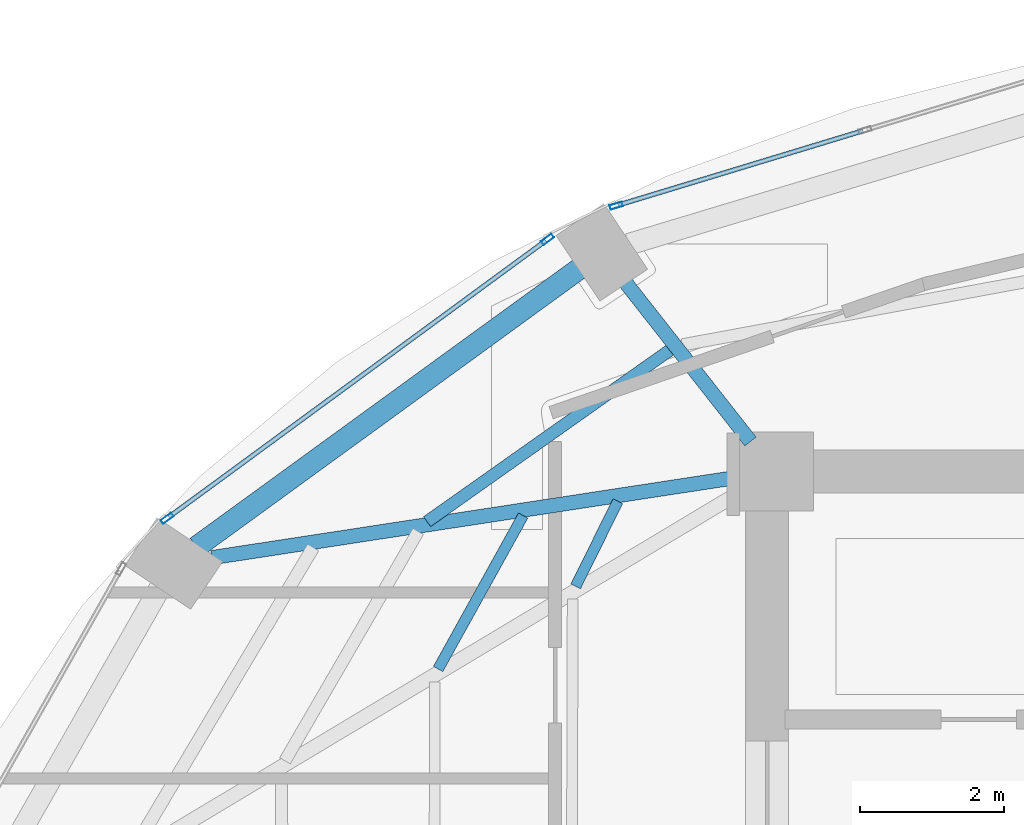
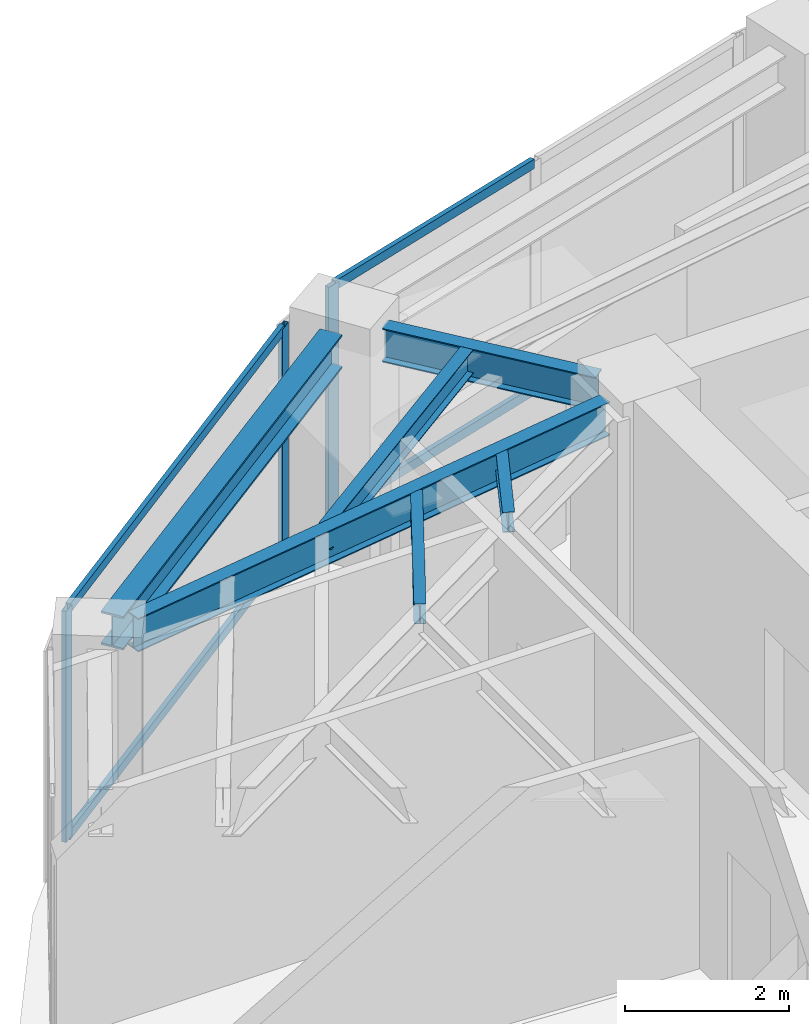
# One storey, part 10 of 23: 7 members, 6 beams, 2 elements without a shape of their own.
"""IFC4 building model written with IfcOpenShell, lengths in metres."""

from ifc_helpers import new_model, si_unit, direction, frame, origin, origin_2d, place, context, subcontext, project, spatial, hollow_rectangle, i_section, extrude, material, layer, layer_set, material_profile, profile_set, type_object, element, aggregate, save


model = new_model("IFC4")

# Units and contexts
model_context = context("Model", 3, precision=1e-05, world=origin(), true_north=direction((0.0, 1.0)))
body_context = subcontext(model_context, "Body", "Model", "MODEL_VIEW")
ifc_project = project(units=[si_unit("LENGTHUNIT", "METRE"), si_unit("AREAUNIT", "SQUARE_METRE"), si_unit("VOLUMEUNIT", "CUBIC_METRE"), si_unit("PLANEANGLEUNIT", "RADIAN"), si_unit("MASSUNIT", "GRAM", prefix="KILO")], contexts=[model_context])

# Site, building, storey
site_placement = place(None, origin())
site = spatial("IfcSite", under=ifc_project, at=site_placement, CompositionType="ELEMENT")
building_placement = place(site_placement, origin())
building = spatial("IfcBuilding", under=site, at=building_placement, Name="Lazwardi Medical Tower", CompositionType="ELEMENT")
storey_placement = place(building_placement, frame((0.0, 0.0, 205.77587890625)))
storey = spatial("IfcBuildingStorey", under=building, at=storey_placement, Name="L53", CompositionType="ELEMENT", Elevation=205.77587890625)

# Beams
ifc_material_1 = material(Name="Steel S355", Category="steel")
ifc_material_profile_1 = material_profile(ifc_material_1, i_section(OverallWidth=0.300048828125, OverallDepth=0.5, WebThickness=0.014404296875, FlangeThickness=0.028076171875, at=origin_2d()), Name="HEB 500")
ifc_profile_set_1 = profile_set([ifc_material_profile_1], Name="Steel S355")
beam_type_1 = type_object("IfcBeamType", Name="BM-RB-Z4", PredefinedType="BEAM", material=ifc_profile_set_1)
beam_1_placement = place(storey_placement, frame((23.68408203125, 38.4248046875, 3.1982421875), z_axis=(-0.808889916254, -0.587960120571, 0.0), x_axis=(0.587960120571, -0.808889916254, 0.0)))
element("IfcBeam", 1, at=beam_1_placement, inside=storey, type_object=beam_type_1, Name="Ring beam RB-05 B10 L53", PredefinedType="BEAM", context=body_context, shape_type="SweptSolid", body=[
    extrude(i_section(OverallWidth=0.300048828125, OverallDepth=0.5, WebThickness=0.014404296875, FlangeThickness=0.028076171875, at=origin_2d()), origin(), (0.0, 0.0, 1.0), 6.587158203125),
])
ifc_material_profile_2 = material_profile(ifc_material_1, i_section(OverallWidth=0.199951171875, OverallDepth=0.5, WebThickness=0.01025390625, FlangeThickness=0.01611328125, at=origin_2d()), Name="IPE 500")
ifc_profile_set_2 = profile_set([ifc_material_profile_2], Name="Steel S355")
beam_type_2 = type_object("IfcBeamType", Name="BM-RG-W3", PredefinedType="BEAM", material=ifc_profile_set_2)
beam_2_placement = place(storey_placement, frame((24.330322265625, 38.2333984375, 3.1982421875), z_axis=(0.617890508382, -0.786264153864, 0.0), x_axis=(0.786264153864, 0.617890508382, 0.0)))
element("IfcBeam", 2, at=beam_2_placement, inside=storey, type_object=beam_type_2, Name="Radial girder RG-04 R10 L53", PredefinedType="BEAM", context=body_context, shape_type="SweptSolid", body=[
    extrude(i_section(OverallWidth=0.199951171875, OverallDepth=0.5, WebThickness=0.01025390625, FlangeThickness=0.01611328125, at=origin_2d()), origin(), (0.0, 0.0, 1.0), 2.814453125),
])
beam_3_placement = place(storey_placement, frame((18.569091796875, 34.4033203125, 3.1982421875), z_axis=(0.988522137285, 0.151076087115, 0.0), x_axis=(-0.151076087115, 0.988522137285, 0.0)))
element("IfcBeam", 3, at=beam_3_placement, inside=storey, type_object=beam_type_2, Name="Radial girder RG-04 R11 L53", PredefinedType="BEAM", context=body_context, shape_type="SweptSolid", body=[
    extrude(i_section(OverallWidth=0.199951171875, OverallDepth=0.5, WebThickness=0.01025390625, FlangeThickness=0.01611328125, at=origin_2d()), origin(), (0.0, 0.0, 1.0), 7.38671875),
])
ifc_material_profile_3 = material_profile(ifc_material_1, i_section(OverallWidth=0.169921875, OverallDepth=0.360107421875, WebThickness=0.008056640625, FlangeThickness=0.0126953125, at=origin_2d()), Name="IPE 360")
ifc_profile_set_3 = profile_set([ifc_material_profile_3], Name="Steel S355")
beam_type_3 = type_object("IfcBeamType", Name="BM-SJ-02", PredefinedType="JOIST", material=ifc_profile_set_3)
beam_4_placement = place(storey_placement, frame((24.948486328125, 37.29345703125, 3.26806640625), z_axis=(-0.816711190406, -0.577046645832, 0.0), x_axis=(0.577046645832, -0.816711190406, 0.0)))
element("IfcBeam", 4, at=beam_4_placement, inside=storey, type_object=beam_type_3, Name="Secondary joist SJ-02 R2 B10 L53", PredefinedType="JOIST", context=body_context, shape_type="SweptSolid", body=[
    extrude(i_section(OverallWidth=0.169921875, OverallDepth=0.360107421875, WebThickness=0.008056640625, FlangeThickness=0.0126953125, at=origin_2d()), origin(), (0.0, 0.0, 1.0), 4.139892578125),
])
ifc_material_profile_4 = material_profile(ifc_material_1, i_section(OverallWidth=0.14990234375, OverallDepth=0.300048828125, WebThickness=0.007080078125, FlangeThickness=0.0107421875, at=origin_2d()), Name="IPE 300")
ifc_profile_set_4 = profile_set([ifc_material_profile_4], Name="Steel S355")
beam_type_4 = type_object("IfcBeamType", Name="BM-SJ-03", PredefinedType="JOIST", material=ifc_profile_set_4)
beam_5_placement = place(storey_placement, frame((22.904296875, 34.98974609375, 3.298095703125), z_axis=(-0.484751625998, -0.874651851363, 0.0), x_axis=(0.874651851363, -0.484751625998, 0.0)))
element("IfcBeam", 5, at=beam_5_placement, inside=storey, type_object=beam_type_4, Name="Secondary joist SJ-03 R3 B11 L53", PredefinedType="JOIST", context=body_context, shape_type="SweptSolid", body=[
    extrude(i_section(OverallWidth=0.14990234375, OverallDepth=0.300048828125, WebThickness=0.007080078125, FlangeThickness=0.0107421875, at=origin_2d()), origin(), (0.0, 0.0, 1.0), 2.442626953125),
])
beam_6_placement = place(storey_placement, frame((24.222412109375, 35.188720703125, 3.298095703125), z_axis=(-0.443587297772, -0.89623116954, 0.0), x_axis=(0.89623116954, -0.443587297772, 0.0)))
element("IfcBeam", 6, at=beam_6_placement, inside=storey, type_object=beam_type_4, Name="Secondary joist SJ-03 R4 B11 L53", PredefinedType="JOIST", context=body_context, shape_type="SweptSolid", body=[
    extrude(i_section(OverallWidth=0.14990234375, OverallDepth=0.300048828125, WebThickness=0.007080078125, FlangeThickness=0.0107421875, at=origin_2d()), origin(), (0.0, 0.0, 1.0), 1.32080078125),
])

# Curtain wall, member
ifc_material_2 = material(Name="Anodised bronze aluminium and solar control glazing", Category="aluminium")
ifc_layer = layer(ifc_material_2, 0.18994140625)
ifc_layer_set = layer_set([ifc_layer], Name="Anodised bronze aluminium and solar control glazing")
curtain_wall_type = type_object("IfcCurtainWallType", Name="CW-SYS-04", PredefinedType="NOTDEFINED", material=ifc_layer_set)
curtain_wall_1_placement = place(storey_placement, origin())
curtain_wall_1 = element("IfcCurtainWall", 7, at=curtain_wall_1_placement, inside=storey, type_object=curtain_wall_type, Name="L53 Unitised bronze curtain wall CW-04", PredefinedType="NOTDEFINED")
ifc_material_3 = material(Name="Anodised bronze aluminium", Category="aluminium")
ifc_material_profile_5 = material_profile(ifc_material_3, hollow_rectangle(XDim=0.06494140625, YDim=0.179931640625, WallThickness=0.00390625, at=origin_2d()), Name="ALU-MULLION 180x65x4")
ifc_profile_set_5 = profile_set([ifc_material_profile_5], Name="Anodised bronze aluminium")
member_type_1 = type_object("IfcMemberType", Name="CW-MUL-03", PredefinedType="MULLION", material=ifc_profile_set_5)
member_1_placement = place(storey_placement, frame((24.2001953125, 39.303466796875, 0.0), z_axis=(0.0, 0.0, 1.0), x_axis=(0.290581889515, -0.956850126972, 0.0)))
member_1 = element("IfcMember", 8, at=member_1_placement, type_object=member_type_1, Name="CW-04 mullion 3", PredefinedType="MULLION", context=body_context, shape_type="SweptSolid", body=[
    extrude(hollow_rectangle(XDim=0.06494140625, YDim=0.179931640625, WallThickness=0.00390625, at=origin_2d()), origin(), (0.0, 0.0, 1.0), 3.4482421875),
])

# Curtain wall, members
curtain_wall_2_placement = place(storey_placement, origin())
curtain_wall_2 = element("IfcCurtainWall", 9, at=curtain_wall_2_placement, inside=storey, type_object=curtain_wall_type, Name="L53 Unitised bronze curtain wall CW-04", PredefinedType="NOTDEFINED")
member_2_placement = place(storey_placement, frame((23.24462890625, 38.8349609375, 0.0), z_axis=(0.0, 0.0, 1.0), x_axis=(0.591268230971, -0.806474971121, 0.0)))
member_2 = element("IfcMember", 10, at=member_2_placement, type_object=member_type_1, Name="CW-04 mullion 1", PredefinedType="MULLION", context=body_context, shape_type="SweptSolid", body=[
    extrude(hollow_rectangle(XDim=0.06494140625, YDim=0.179931640625, WallThickness=0.00390625, at=origin_2d()), origin(), (0.0, 0.0, 1.0), 3.4482421875),
])
member_3_placement = place(storey_placement, frame((17.947998046875, 34.95166015625, 0.0), z_axis=(0.0, 0.0, 1.0), x_axis=(0.591268230971, -0.806474971121, 0.0)))
member_3 = element("IfcMember", 11, at=member_3_placement, type_object=member_type_1, Name="CW-04 mullion 2", PredefinedType="MULLION", context=body_context, shape_type="SweptSolid", body=[
    extrude(hollow_rectangle(XDim=0.06494140625, YDim=0.179931640625, WallThickness=0.00390625, at=origin_2d()), origin(), (0.0, 0.0, 1.0), 3.4482421875),
])

# Member
ifc_material_profile_6 = material_profile(ifc_material_3, hollow_rectangle(XDim=0.06494140625, YDim=0.139892578125, WallThickness=0.00341796875, at=origin_2d()), Name="ALU-TRANSOM 140x65x3.5")
ifc_profile_set_6 = profile_set([ifc_material_profile_6], Name="Anodised bronze aluminium")
member_type_2 = type_object("IfcMemberType", Name="CW-TRN-03", PredefinedType="USERDEFINED", material=ifc_profile_set_6)
member_4_placement = place(storey_placement, frame((27.632568359375, 40.345947265625, 0.03271484375), z_axis=(-0.956843409009, -0.290604010015, 0.0), x_axis=(0.290604010015, -0.956843409009, 0.0)))
member_4 = element("IfcMember", 12, at=member_4_placement, type_object=member_type_2, Name="CW-04 transom 2.1", ObjectType="TRANSOM", PredefinedType="USERDEFINED", context=body_context, shape_type="SweptSolid", body=[
    extrude(hollow_rectangle(XDim=0.06494140625, YDim=0.139892578125, WallThickness=0.00341796875, at=origin_2d()), origin(), (0.0, 0.0, 1.0), 3.554443359375),
])

member_5_placement = place(storey_placement, frame((27.632568359375, 40.345947265625, 3.41552734375), z_axis=(-0.956843409009, -0.290604010015, 0.0), x_axis=(0.290604010015, -0.956843409009, 0.0)))
member_5 = element("IfcMember", 13, at=member_5_placement, type_object=member_type_2, Name="CW-04 transom 2.2", ObjectType="TRANSOM", PredefinedType="USERDEFINED", context=body_context, shape_type="SweptSolid", body=[
    extrude(hollow_rectangle(XDim=0.06494140625, YDim=0.139892578125, WallThickness=0.00341796875, at=origin_2d()), origin(), (0.0, 0.0, 1.0), 3.554443359375),
])

aggregate(curtain_wall_1, [member_1, member_4, member_5])

member_6_placement = place(storey_placement, frame((23.218505859375, 38.815673828125, 0.03271484375), z_axis=(-0.80648973359, -0.591248094808, 0.0), x_axis=(0.591248094808, -0.80648973359, 0.0)))
member_6 = element("IfcMember", 14, at=member_6_placement, type_object=member_type_2, Name="CW-04 transom 1.1", ObjectType="TRANSOM", PredefinedType="USERDEFINED", context=body_context, shape_type="SweptSolid", body=[
    extrude(hollow_rectangle(XDim=0.06494140625, YDim=0.139892578125, WallThickness=0.00341796875, at=origin_2d()), origin(), (0.0, 0.0, 1.0), 6.502685546875),
])

member_7_placement = place(storey_placement, frame((23.218505859375, 38.815673828125, 3.41552734375), z_axis=(-0.80648973359, -0.591248094808, 0.0), x_axis=(0.591248094808, -0.80648973359, 0.0)))
member_7 = element("IfcMember", 15, at=member_7_placement, type_object=member_type_2, Name="CW-04 transom 1.2", ObjectType="TRANSOM", PredefinedType="USERDEFINED", context=body_context, shape_type="SweptSolid", body=[
    extrude(hollow_rectangle(XDim=0.06494140625, YDim=0.139892578125, WallThickness=0.00341796875, at=origin_2d()), origin(), (0.0, 0.0, 1.0), 6.502685546875),
])

aggregate(curtain_wall_2, [member_2, member_3, member_6, member_7])

save(model, "model.ifc")
